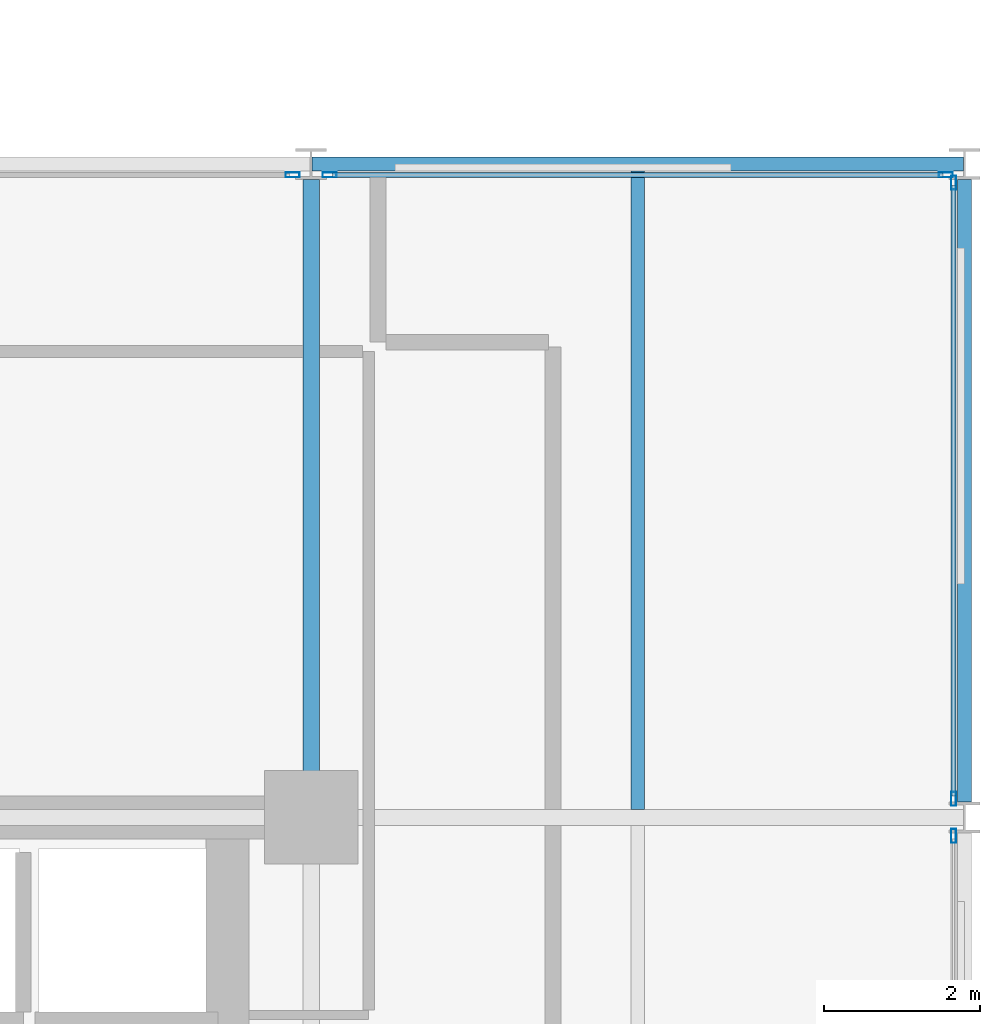
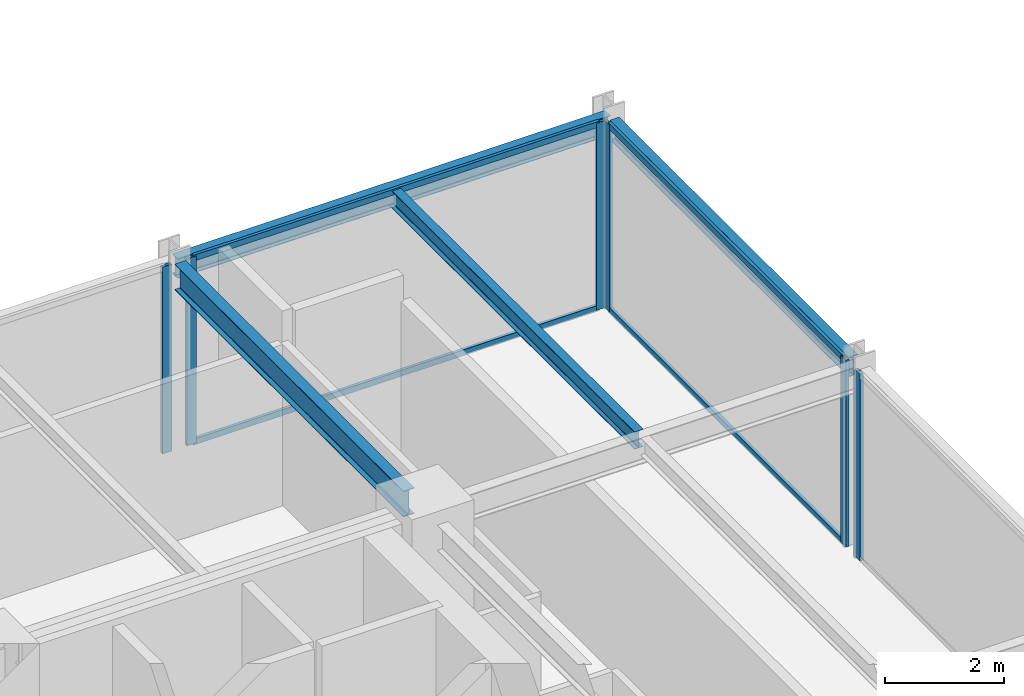
# One storey, part 15 of 29: 10 members, 4 beams, 4 elements without a shape of their own.
"""IFC4 building model written with IfcOpenShell, lengths in metres."""

from ifc_helpers import new_model, si_unit, direction, frame, origin, origin_2d, place, context, subcontext, project, spatial, hollow_rectangle, i_section, extrude, material, layer, layer_set, material_profile, profile_set, type_object, element, aggregate, save


model = new_model("IFC4")

# Units and contexts
model_context = context("Model", 3, precision=1e-05, world=origin(), true_north=direction((0.0, 1.0)))
body_context = subcontext(model_context, "Body", "Model", "MODEL_VIEW")
ifc_project = project(units=[si_unit("LENGTHUNIT", "METRE"), si_unit("AREAUNIT", "SQUARE_METRE"), si_unit("VOLUMEUNIT", "CUBIC_METRE"), si_unit("PLANEANGLEUNIT", "RADIAN"), si_unit("MASSUNIT", "GRAM", prefix="KILO")], contexts=[model_context])

# Site, building, storey
site_placement = place(None, origin())
site = spatial("IfcSite", under=ifc_project, at=site_placement, CompositionType="ELEMENT")
building_placement = place(site_placement, origin())
building = spatial("IfcBuilding", under=site, at=building_placement, Name="Nerrivon Quay Data Exchange", CompositionType="ELEMENT")
storey_placement = place(building_placement, frame((0.0, 0.0, 137.699951171875)))
storey = spatial("IfcBuildingStorey", under=building, at=storey_placement, Name="L32", CompositionType="ELEMENT", Elevation=137.699951171875)

# Beams
ifc_material_1 = material(Name="Steel Grade 350", Category="steel")
ifc_material_profile_1 = material_profile(ifc_material_1, i_section(OverallWidth=0.208984375, OverallDepth=0.528076171875, WebThickness=0.009521484375, FlangeThickness=0.01318359375, FilletRadius=0.013916015625, at=origin_2d()), Name="530UB82.0")
ifc_profile_set_1 = profile_set([ifc_material_profile_1], Name="Steel Grade 350")
beam_type_1 = type_object("IfcBeamType", Name="BM-G4-530UB82", PredefinedType="BEAM", material=ifc_profile_set_1)
beam_1_placement = place(storey_placement, frame((33.60009765625, 17.340087890625, 3.56103515625), z_axis=(0.0, 1.0, 0.0), x_axis=(-1.0, 0.0, 0.0)))
element("IfcBeam", 1, at=beam_1_placement, inside=storey, type_object=beam_type_1, Name="L32 NS Girder X=33.6 (16.8..25.2)", PredefinedType="BEAM", context=body_context, shape_type="SweptSolid", body=[
    extrude(i_section(OverallWidth=0.208984375, OverallDepth=0.528076171875, WebThickness=0.009521484375, FlangeThickness=0.01318359375, FilletRadius=0.013916015625, at=origin_2d()), origin(), (0.0, 0.0, 1.0), 7.659912109375),
])
ifc_material_profile_2 = material_profile(ifc_material_1, i_section(OverallWidth=0.1708984375, OverallDepth=0.35595703125, WebThickness=0.00732421875, FlangeThickness=0.011474609375, FilletRadius=0.011474609375, at=origin_2d()), Name="360UB50.7")
ifc_profile_set_2 = profile_set([ifc_material_profile_2], Name="Steel Grade 350")
beam_type_2 = type_object("IfcBeamType", Name="BM-J4-360UB51", PredefinedType="JOIST", material=ifc_profile_set_2)
beam_2_placement = place(storey_placement, frame((37.800048828125, 16.904541015625, 3.64697265625), z_axis=(0.0, 1.0, 0.0), x_axis=(-1.0, 0.0, 0.0)))
element("IfcBeam", 2, at=beam_2_placement, inside=storey, type_object=beam_type_2, Name="L32 Secondary Joist X=37.8 (16.8..25.2)", PredefinedType="JOIST", context=body_context, shape_type="SweptSolid", body=[
    extrude(i_section(OverallWidth=0.1708984375, OverallDepth=0.35595703125, WebThickness=0.00732421875, FlangeThickness=0.011474609375, FilletRadius=0.011474609375, at=origin_2d()), origin(), (0.0, 0.0, 1.0), 8.20654296875),
])
ifc_material_profile_3 = material_profile(ifc_material_1, i_section(OverallWidth=0.177978515625, OverallDepth=0.403076171875, WebThickness=0.007568359375, FlangeThickness=0.010986328125, FilletRadius=0.011474609375, at=origin_2d()), Name="410UB53.7")
ifc_profile_set_3 = profile_set([ifc_material_profile_3], Name="Steel Grade 350")
beam_type_3 = type_object("IfcBeamType", Name="BM-SP2-410UB54", PredefinedType="SPANDREL", material=ifc_profile_set_3)
beam_3_placement = place(storey_placement, frame((33.612548828125, 25.199951171875, 3.62353515625), z_axis=(1.0, 0.0, 0.0), x_axis=(0.0, 1.0, 0.0)))
element("IfcBeam", 3, at=beam_3_placement, inside=storey, type_object=beam_type_3, Name="L32 EW Girder Y=25.2 (33.6..42.0)", PredefinedType="SPANDREL", context=body_context, shape_type="SweptSolid", body=[
    extrude(i_section(OverallWidth=0.177978515625, OverallDepth=0.403076171875, WebThickness=0.007568359375, FlangeThickness=0.010986328125, FilletRadius=0.011474609375, at=origin_2d()), origin(), (0.0, 0.0, 1.0), 8.375),
])
beam_4_placement = place(storey_placement, frame((42.0, 17.0, 3.62353515625), z_axis=(0.0, 1.0, 0.0), x_axis=(-1.0, 0.0, 0.0)))
element("IfcBeam", 4, at=beam_4_placement, inside=storey, type_object=beam_type_3, Name="L32 NS Girder X=42.0 (16.8..25.2)", PredefinedType="SPANDREL", context=body_context, shape_type="SweptSolid", body=[
    extrude(i_section(OverallWidth=0.177978515625, OverallDepth=0.403076171875, WebThickness=0.007568359375, FlangeThickness=0.010986328125, FilletRadius=0.011474609375, at=origin_2d()), origin(), (0.0, 0.0, 1.0), 8.0),
])

# Curtain wall, member
ifc_material_2 = material(Name="Anodised aluminium 6063-T6", Category="aluminium")
ifc_layer = layer(ifc_material_2, 0.2099609375)
ifc_layer_set = layer_set([ifc_layer], Name="Anodised aluminium 6063-T6")
curtain_wall_type = type_object("IfcCurtainWallType", Name="CW-SYS-02", PredefinedType="NOTDEFINED", material=ifc_layer_set)
curtain_wall_1_placement = place(storey_placement, origin())
curtain_wall_1 = element("IfcCurtainWall", 5, at=curtain_wall_1_placement, inside=storey, type_object=curtain_wall_type, Name="L32 Unitised Curtain Wall 26", PredefinedType="NOTDEFINED")
ifc_material_profile_4 = material_profile(ifc_material_2, hollow_rectangle(XDim=0.06494140625, YDim=0.179931640625, WallThickness=0.00341796875, at=origin_2d()), Name="ALU-MULL-180x65")
ifc_profile_set_4 = profile_set([ifc_material_profile_4], Name="Anodised aluminium 6063-T6")
member_type_1 = type_object("IfcMemberType", Name="CWM-180x65", PredefinedType="MULLION", material=ifc_profile_set_4)
member_1_placement = place(storey_placement, frame((33.362548828125, 25.06005859375, 0.0), z_axis=(0.0, 0.0, 1.0), x_axis=(0.0, 1.0, 0.0)))
member_1 = element("IfcMember", 6, at=member_1_placement, type_object=member_type_1, Name="CW02 mullion 2", PredefinedType="MULLION", context=body_context, shape_type="SweptSolid", body=[
    extrude(hollow_rectangle(XDim=0.06494140625, YDim=0.179931640625, WallThickness=0.00341796875, at=origin_2d()), origin(), (0.0, 0.0, 1.0), 3.824951171875),
])
aggregate(curtain_wall_1, [member_1])

# Curtain wall, members
curtain_wall_2_placement = place(storey_placement, origin())
curtain_wall_2 = element("IfcCurtainWall", 7, at=curtain_wall_2_placement, inside=storey, type_object=curtain_wall_type, Name="L32 Unitised Curtain Wall 27", PredefinedType="NOTDEFINED")
member_2_placement = place(storey_placement, frame((33.83740234375, 25.06005859375, 0.0), z_axis=(0.0, 0.0, 1.0), x_axis=(0.0, 1.0, 0.0)))
member_2 = element("IfcMember", 8, at=member_2_placement, type_object=member_type_1, Name="CW02 mullion 1", PredefinedType="MULLION", context=body_context, shape_type="SweptSolid", body=[
    extrude(hollow_rectangle(XDim=0.06494140625, YDim=0.179931640625, WallThickness=0.00341796875, at=origin_2d()), origin(), (0.0, 0.0, 1.0), 3.824951171875),
])
member_3_placement = place(storey_placement, frame((41.762451171875, 25.06005859375, 0.0), z_axis=(0.0, 0.0, 1.0), x_axis=(0.0, 1.0, 0.0)))
member_3 = element("IfcMember", 9, at=member_3_placement, type_object=member_type_1, Name="CW02 mullion 2", PredefinedType="MULLION", context=body_context, shape_type="SweptSolid", body=[
    extrude(hollow_rectangle(XDim=0.06494140625, YDim=0.179931640625, WallThickness=0.00341796875, at=origin_2d()), origin(), (0.0, 0.0, 1.0), 3.824951171875),
])

curtain_wall_3_placement = place(storey_placement, origin())
curtain_wall_3 = element("IfcCurtainWall", 10, at=curtain_wall_3_placement, inside=storey, type_object=curtain_wall_type, Name="L32 Unitised Curtain Wall 28", PredefinedType="NOTDEFINED")
member_4_placement = place(storey_placement, frame((41.860107421875, 24.96240234375, 0.0), z_axis=(0.0, 0.0, 1.0), x_axis=(1.0, 0.0, 0.0)))
member_4 = element("IfcMember", 11, at=member_4_placement, type_object=member_type_1, Name="CW02 mullion 1", PredefinedType="MULLION", context=body_context, shape_type="SweptSolid", body=[
    extrude(hollow_rectangle(XDim=0.06494140625, YDim=0.179931640625, WallThickness=0.00341796875, at=origin_2d()), origin(), (0.0, 0.0, 1.0), 3.824951171875),
])
member_5_placement = place(storey_placement, frame((41.860107421875, 17.03759765625, 0.0), z_axis=(0.0, 0.0, 1.0), x_axis=(1.0, 0.0, 0.0)))
member_5 = element("IfcMember", 12, at=member_5_placement, type_object=member_type_1, Name="CW02 mullion 2", PredefinedType="MULLION", context=body_context, shape_type="SweptSolid", body=[
    extrude(hollow_rectangle(XDim=0.06494140625, YDim=0.179931640625, WallThickness=0.00341796875, at=origin_2d()), origin(), (0.0, 0.0, 1.0), 3.824951171875),
])

# Curtain wall, member
curtain_wall_4_placement = place(storey_placement, origin())
curtain_wall_4 = element("IfcCurtainWall", 13, at=curtain_wall_4_placement, inside=storey, type_object=curtain_wall_type, Name="L32 Unitised Curtain Wall 29", PredefinedType="NOTDEFINED")
member_6_placement = place(storey_placement, frame((41.860107421875, 16.5625, 0.0), z_axis=(0.0, 0.0, 1.0), x_axis=(1.0, 0.0, 0.0)))
member_6 = element("IfcMember", 14, at=member_6_placement, type_object=member_type_1, Name="CW02 mullion 1", PredefinedType="MULLION", context=body_context, shape_type="SweptSolid", body=[
    extrude(hollow_rectangle(XDim=0.06494140625, YDim=0.179931640625, WallThickness=0.00341796875, at=origin_2d()), origin(), (0.0, 0.0, 1.0), 3.824951171875),
])
aggregate(curtain_wall_4, [member_6])

# Member
ifc_material_profile_5 = material_profile(ifc_material_2, hollow_rectangle(XDim=0.06005859375, YDim=0.1201171875, WallThickness=0.003173828125, at=origin_2d()), Name="ALU-TRAN-120x60")
ifc_profile_set_5 = profile_set([ifc_material_profile_5], Name="Anodised aluminium 6063-T6")
member_type_2 = type_object("IfcMemberType", Name="CWT-120x60", PredefinedType="USERDEFINED", material=ifc_profile_set_5)
member_7_placement = place(storey_placement, frame((33.875, 25.06005859375, 0.032470703125), z_axis=(1.0, 0.0, 0.0), x_axis=(0.0, 1.0, 0.0)))
member_7 = element("IfcMember", 15, at=member_7_placement, type_object=member_type_2, Name="CW02 transom 1.1", ObjectType="TRANSOM", PredefinedType="USERDEFINED", context=body_context, shape_type="SweptSolid", body=[
    extrude(hollow_rectangle(XDim=0.06005859375, YDim=0.1201171875, WallThickness=0.003173828125, at=origin_2d()), origin(), (0.0, 0.0, 1.0), 7.85009765625),
])

member_8_placement = place(storey_placement, frame((33.875, 25.06005859375, 3.79248046875), z_axis=(1.0, 0.0, 0.0), x_axis=(0.0, 1.0, 0.0)))
member_8 = element("IfcMember", 16, at=member_8_placement, type_object=member_type_2, Name="CW02 transom 1.2", ObjectType="TRANSOM", PredefinedType="USERDEFINED", context=body_context, shape_type="SweptSolid", body=[
    extrude(hollow_rectangle(XDim=0.06005859375, YDim=0.1201171875, WallThickness=0.003173828125, at=origin_2d()), origin(), (0.0, 0.0, 1.0), 7.85009765625),
])

aggregate(curtain_wall_2, [member_2, member_3, member_7, member_8])

member_9_placement = place(storey_placement, frame((41.860107421875, 24.925048828125, 0.032470703125), z_axis=(0.0, -1.0, 0.0), x_axis=(1.0, 0.0, 0.0)))
member_9 = element("IfcMember", 17, at=member_9_placement, type_object=member_type_2, Name="CW02 transom 1.1", ObjectType="TRANSOM", PredefinedType="USERDEFINED", context=body_context, shape_type="SweptSolid", body=[
    extrude(hollow_rectangle(XDim=0.06005859375, YDim=0.1201171875, WallThickness=0.003173828125, at=origin_2d()), origin(), (0.0, 0.0, 1.0), 7.85009765625),
])

member_10_placement = place(storey_placement, frame((41.860107421875, 24.925048828125, 3.79248046875), z_axis=(0.0, -1.0, 0.0), x_axis=(1.0, 0.0, 0.0)))
member_10 = element("IfcMember", 18, at=member_10_placement, type_object=member_type_2, Name="CW02 transom 1.2", ObjectType="TRANSOM", PredefinedType="USERDEFINED", context=body_context, shape_type="SweptSolid", body=[
    extrude(hollow_rectangle(XDim=0.06005859375, YDim=0.1201171875, WallThickness=0.003173828125, at=origin_2d()), origin(), (0.0, 0.0, 1.0), 7.85009765625),
])

aggregate(curtain_wall_3, [member_4, member_5, member_9, member_10])

save(model, "model.ifc")
